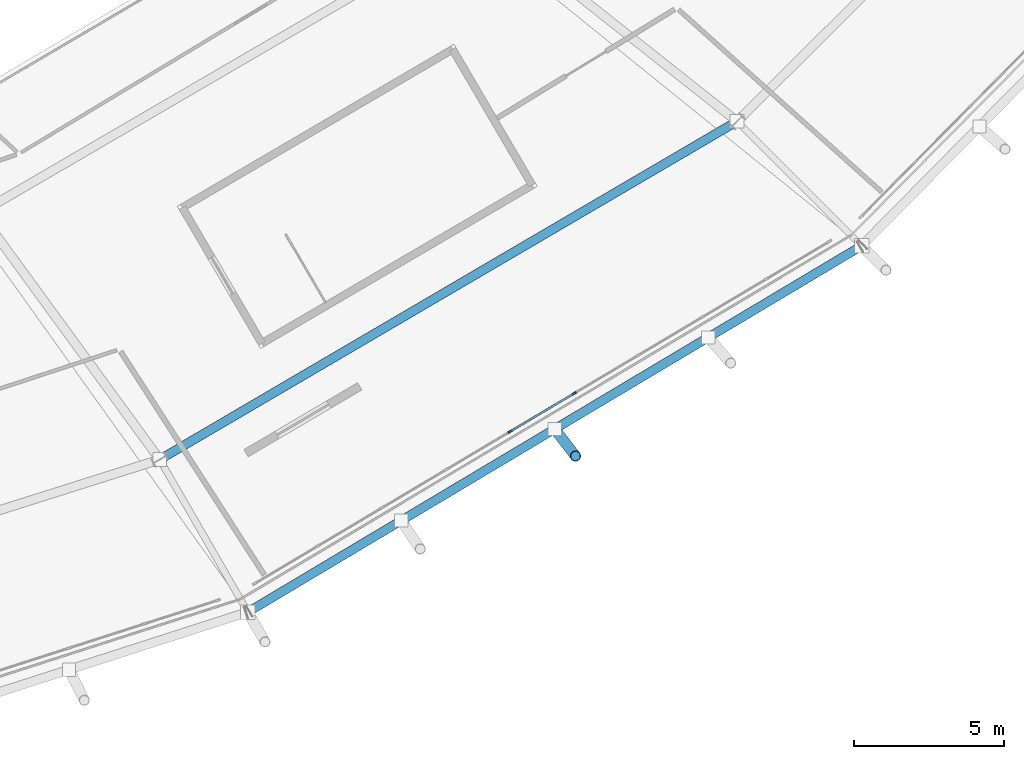
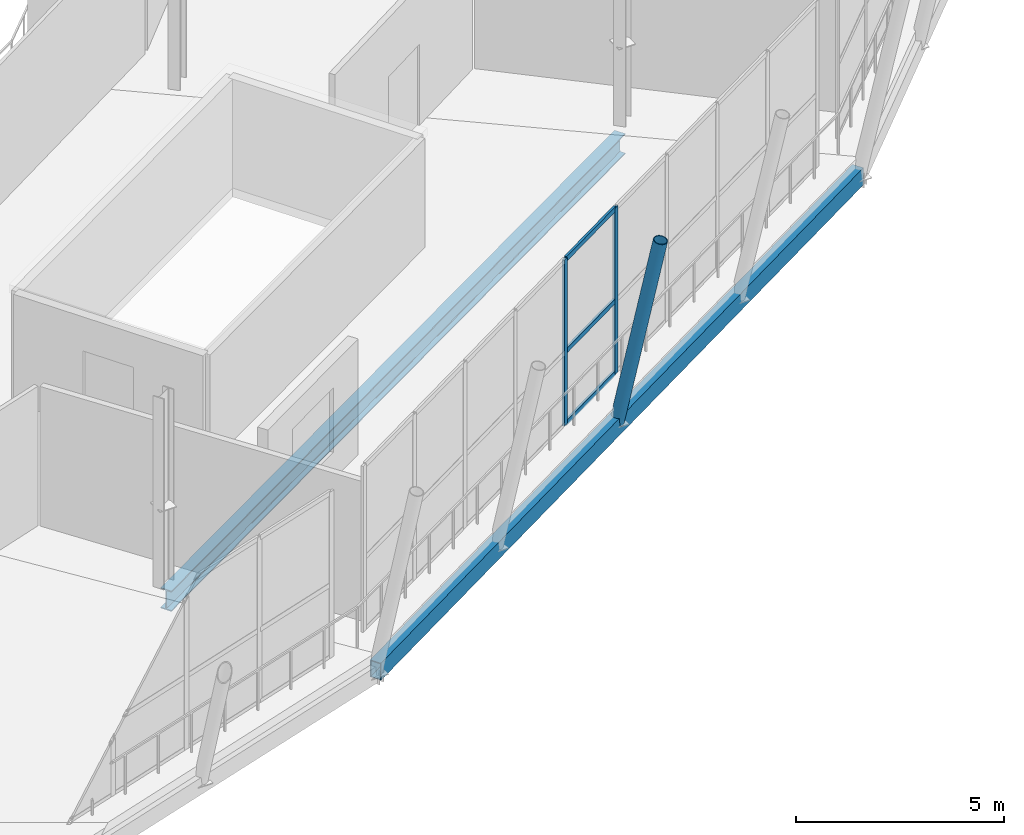
# One storey, part 33 of 99: 6 members, 2 beams, 1 element without a shape of its own.
"""IFC4 building model written with IfcOpenShell, lengths in metres."""

from ifc_helpers import new_model, si_unit, direction, frame, origin, origin_2d, place, context, subcontext, project, spatial, rectangle, hollow_rectangle, hollow_circle, i_section, extrude, material, material_profile, profile_set, type_object, element, aggregate, save


model = new_model("IFC4")

# Units and contexts
model_context = context("Model", 3, precision=1e-05, world=origin(), true_north=direction((0.0, 1.0)))
body_context = subcontext(model_context, "Body", "Model", "MODEL_VIEW")
ifc_project = project(units=[si_unit("LENGTHUNIT", "METRE"), si_unit("AREAUNIT", "SQUARE_METRE"), si_unit("VOLUMEUNIT", "CUBIC_METRE"), si_unit("PLANEANGLEUNIT", "RADIAN"), si_unit("MASSUNIT", "GRAM", prefix="KILO")], contexts=[model_context])

# Site, building, storey
site_placement = place(None, origin())
site = spatial("IfcSite", under=ifc_project, at=site_placement, CompositionType="ELEMENT")
building_placement = place(site_placement, origin())
building = spatial("IfcBuilding", under=site, at=building_placement, Name="Zlatoyarsky Gate Stadium", CompositionType="ELEMENT")
storey_placement = place(building_placement, frame((0.0, 0.0, 26.199951171875)))
storey = spatial("IfcBuildingStorey", under=building, at=storey_placement, Name="L05", CompositionType="ELEMENT", Elevation=26.199951171875)

# Curtain wall, members
ifc_material_1 = material(Name="Thermally broken anodised aluminium curtain wall", Category="aluminium")
curtain_wall_type = type_object("IfcCurtainWallType", Name="UNITISED SKYBOX RING GLAZING L05", PredefinedType="USERDEFINED", material=ifc_material_1)
curtain_wall_placement = place(storey_placement, origin())
curtain_wall = element("IfcCurtainWall", 1, at=curtain_wall_placement, inside=storey, type_object=curtain_wall_type, Name="Curtain wall CW-L05-20", ObjectType="UNITISED GLAZING", PredefinedType="USERDEFINED")
ifc_material_2 = material(Name="Anodised aluminium 6063-T6", Category="aluminium")
ifc_material_profile_1 = material_profile(ifc_material_2, rectangle(XDim=0.06494140625, YDim=0.159912109375, at=origin_2d()), Name="ALU 65X160")
ifc_profile_set_1 = profile_set([ifc_material_profile_1], Name="Anodised aluminium 6063-T6")
member_type_1 = type_object("IfcMemberType", Name="ALUMINIUM MULLION 65X160", PredefinedType="MULLION", material=ifc_profile_set_1)
member_1_placement = place(storey_placement, frame((169.188232421875, 19.4453125, 0.0), z_axis=(0.0, 0.0, 1.0), x_axis=(-0.511577166542, 0.859237337802, 0.0)))
member_1 = element("IfcMember", 2, at=member_1_placement, type_object=member_type_1, Name="CW-UG5 mullion 5", PredefinedType="MULLION", context=body_context, shape_type="SweptSolid", body=[
    extrude(rectangle(XDim=0.06494140625, YDim=0.159912109375, at=origin_2d()), origin(), (0.0, 0.0, 1.0), 4.880126953125),
])
member_2_placement = place(storey_placement, frame((171.3232421875, 20.716552734375, 0.0), z_axis=(0.0, 0.0, 1.0), x_axis=(-0.511577166542, 0.859237337802, 0.0)))
member_2 = element("IfcMember", 3, at=member_2_placement, type_object=member_type_1, Name="CW-UG5 mullion 6", PredefinedType="MULLION", context=body_context, shape_type="SweptSolid", body=[
    extrude(rectangle(XDim=0.06494140625, YDim=0.159912109375, at=origin_2d()), origin(), (0.0, 0.0, 1.0), 4.880126953125),
])
ifc_material_profile_2 = material_profile(ifc_material_2, rectangle(XDim=0.06494140625, YDim=0.139892578125, at=origin_2d()), Name="ALU 65X140")
ifc_profile_set_2 = profile_set([ifc_material_profile_2], Name="Anodised aluminium 6063-T6")
member_type_2 = type_object("IfcMemberType", Name="ALUMINIUM TRANSOM 65X140", PredefinedType="USERDEFINED", material=ifc_profile_set_2)
member_3_placement = place(storey_placement, frame((169.216064453125, 19.4619140625, 0.032470703125), z_axis=(0.859232702525, 0.511584951803, 0.0), x_axis=(-0.511584951803, 0.859232702525, 0.0)))
member_3 = element("IfcMember", 4, at=member_3_placement, type_object=member_type_2, Name="CW-UG5 transom 5.1", ObjectType="TRANSOM", PredefinedType="USERDEFINED", context=body_context, shape_type="SweptSolid", body=[
    extrude(rectangle(XDim=0.06494140625, YDim=0.139892578125, at=origin_2d()), origin(), (0.0, 0.0, 1.0), 2.419921875),
])
member_4_placement = place(storey_placement, frame((169.216064453125, 19.4619140625, 2.150146484375), z_axis=(0.859232702525, 0.511584951803, 0.0), x_axis=(-0.511584951803, 0.859232702525, 0.0)))
member_4 = element("IfcMember", 5, at=member_4_placement, type_object=member_type_2, Name="CW-UG5 transom 5.2", ObjectType="TRANSOM", PredefinedType="USERDEFINED", context=body_context, shape_type="SweptSolid", body=[
    extrude(rectangle(XDim=0.06494140625, YDim=0.139892578125, at=origin_2d()), origin(), (0.0, 0.0, 1.0), 2.419921875),
])
member_5_placement = place(storey_placement, frame((169.216064453125, 19.4619140625, 4.84765625), z_axis=(0.859232702525, 0.511584951803, 0.0), x_axis=(-0.511584951803, 0.859232702525, 0.0)))
member_5 = element("IfcMember", 6, at=member_5_placement, type_object=member_type_2, Name="CW-UG5 transom 5.3", ObjectType="TRANSOM", PredefinedType="USERDEFINED", context=body_context, shape_type="SweptSolid", body=[
    extrude(rectangle(XDim=0.06494140625, YDim=0.139892578125, at=origin_2d()), origin(), (0.0, 0.0, 1.0), 2.419921875),
])
aggregate(curtain_wall, [member_1, member_2, member_3, member_4, member_5])

# Member
ifc_material_3 = material(Name="Steel S355", Category="steel")
ifc_material_profile_3 = material_profile(ifc_material_3, hollow_circle(Radius=0.177734375, WallThickness=0.02001953125, at=origin_2d()), Name="CHS 355.6X20")
ifc_profile_set_3 = profile_set([ifc_material_profile_3], Name="Steel S355")
member_type_3 = type_object("IfcMemberType", Name="STEEL LEANING RIB RING STRUT CHS 355.6X20", PredefinedType="STRUT", material=ifc_profile_set_3)
member_6_placement = place(storey_placement, frame((170.67822265625, 19.5302734375, -0.510009765625), z_axis=(0.120172943804, -0.156580017913, 0.98032706867), x_axis=(0.793292481997, 0.608840732875, 0.0)))
element("IfcMember", 7, at=member_6_placement, inside=storey, type_object=member_type_3, Name="Outward-leaning bowl louvre fin rib L05 20-2", PredefinedType="STRUT", context=body_context, shape_type="SweptSolid", body=[
    extrude(hollow_circle(Radius=0.177734375, WallThickness=0.02001953125, at=origin_2d()), origin(), (0.0, 0.0, 1.0), 5.773681640625),
])

# Beams
ifc_material_profile_4 = material_profile(ifc_material_3, hollow_rectangle(XDim=0.300048828125, YDim=0.5, WallThickness=0.02001953125, at=origin_2d()), Name="RHS 500X300X20")
ifc_profile_set_4 = profile_set([ifc_material_profile_4], Name="Steel S355")
beam_type_1 = type_object("IfcBeamType", Name="STEEL LOUVRE CARRIER SPANDREL RHS 500X300X20", PredefinedType="SPANDREL", material=ifc_profile_set_4)
beam_1_placement = place(storey_placement, frame((160.456298828125, 13.431884765625, -0.510009765625), z_axis=(0.858774302963, 0.51235407344, 0.0), x_axis=(-0.51235407344, 0.858774302963, 0.0)))
element("IfcBeam", 8, at=beam_1_placement, inside=storey, type_object=beam_type_1, Name="Beam SP-RHS500 BM-L05-SPD-20", PredefinedType="SPANDREL", context=body_context, shape_type="SweptSolid", body=[
    extrude(hollow_rectangle(XDim=0.300048828125, YDim=0.5, WallThickness=0.02001953125, at=origin_2d()), origin(), (0.0, 0.0, 1.0), 23.805908203125),
])
ifc_material_profile_5 = material_profile(ifc_material_3, i_section(OverallWidth=0.300048828125, OverallDepth=0.60009765625, WebThickness=0.015380859375, FlangeThickness=0.030029296875, FilletRadius=0.027099609375, at=origin_2d()), Name="HEB 600")
ifc_profile_set_5 = profile_set([ifc_material_profile_5], Name="Steel S355")
beam_type_2 = type_object("IfcBeamType", Name="STEEL PRIMARY GIRDER HEB 600", PredefinedType="BEAM", material=ifc_profile_set_5)
beam_2_placement = place(storey_placement, frame((157.603515625, 18.572998046875, -0.56005859375), z_axis=(0.862854775092, 0.505451913738, 0.0), x_axis=(-0.505451913738, 0.862854775092, 0.0)))
element("IfcBeam", 9, at=beam_2_placement, inside=storey, type_object=beam_type_2, Name="Beam G-HEB600 BM-L05-CRC-20", PredefinedType="BEAM", context=body_context, shape_type="SweptSolid", body=[
    extrude(i_section(OverallWidth=0.300048828125, OverallDepth=0.60009765625, WebThickness=0.015380859375, FlangeThickness=0.030029296875, FilletRadius=0.027099609375, at=origin_2d()), origin(), (0.0, 0.0, 1.0), 22.08251953125),
])

save(model, "model.ifc")
